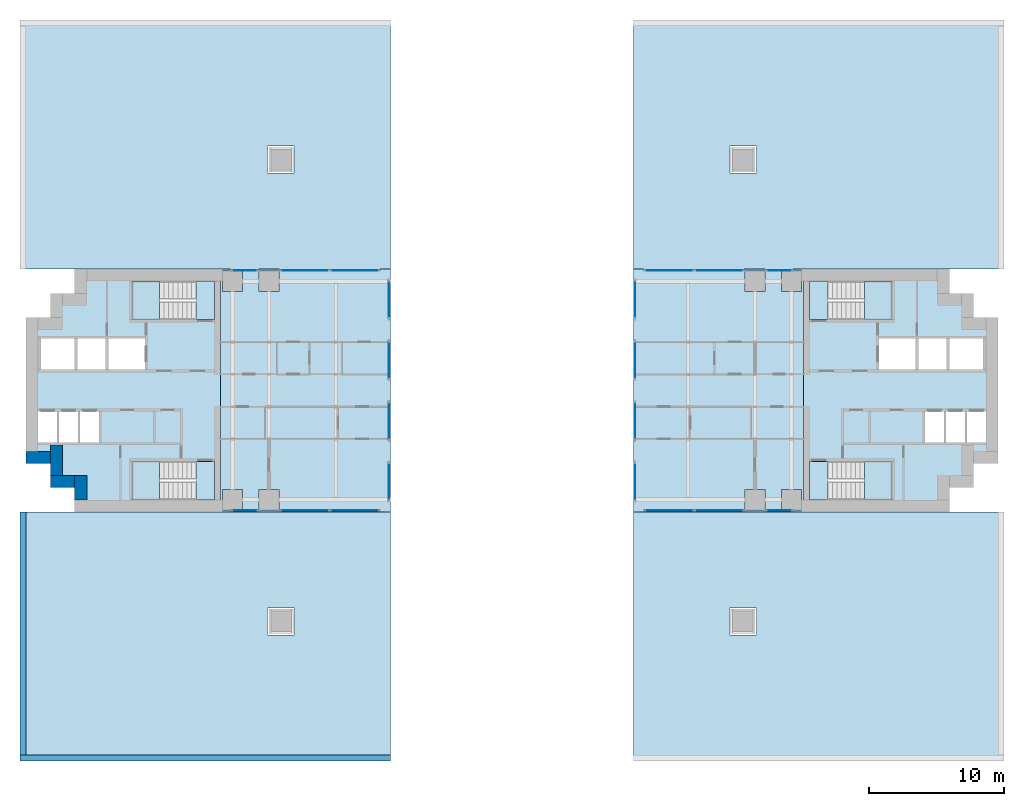
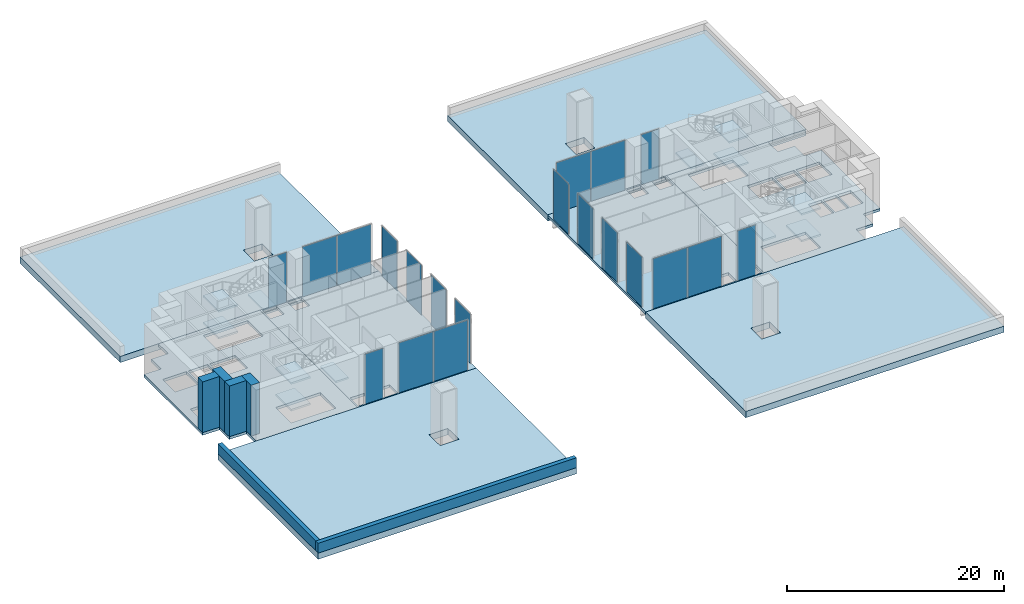
# One storey, part 5 of 13: 20 plates, 20 slabs, 6 walls, 20 elements without a shape of their own.
"""IFC4 building model written with IfcOpenShell, lengths in metres."""

from ifc_helpers import new_model, si_unit, direction, frame, frame_2d, origin, origin_2d, place, context, subcontext, project, spatial, polyline, rectangle, outline, extrude, material, layer, layer_set, type_object, element, aggregate, save


model = new_model("IFC4")

# Units and contexts
model_context = context("Model", 3, precision=1e-05, world=origin(), true_north=direction((0.0, 1.0)))
body_context = subcontext(model_context, "Body", "Model", "MODEL_VIEW")
ifc_project = project(units=[si_unit("LENGTHUNIT", "METRE"), si_unit("AREAUNIT", "SQUARE_METRE"), si_unit("VOLUMEUNIT", "CUBIC_METRE"), si_unit("PLANEANGLEUNIT", "RADIAN"), si_unit("MASSUNIT", "GRAM", prefix="KILO")], contexts=[model_context])

# Site, building, storey
site_placement = place(None, origin())
site = spatial("IfcSite", under=ifc_project, at=site_placement, CompositionType="ELEMENT")
building_placement = place(site_placement, origin())
building = spatial("IfcBuilding", under=site, at=building_placement, Name="Perihelion Cross Residences", CompositionType="ELEMENT")
storey_placement = place(building_placement, frame((0.0, 0.0, 15.0)))
storey = spatial("IfcBuildingStorey", under=building, at=storey_placement, Name="L01", CompositionType="ELEMENT", Elevation=15.0)

# Curtain wall, plate
ifc_material_1 = material(Name="Bronze anodised aluminium, tinted glazing", Category="aluminium")
curtain_wall_type = type_object("IfcCurtainWallType", Name="CW2", PredefinedType="NOTDEFINED", material=ifc_material_1)
curtain_wall_1_placement = place(storey_placement, origin())
curtain_wall_1 = element("IfcCurtainWall", 1, at=curtain_wall_1_placement, inside=storey, type_object=curtain_wall_type, Name="Curtain wall CW2 L01 east side north bay 1", PredefinedType="NOTDEFINED")
ifc_material_2 = material(Name="Tinted laminated glass", Category="glass")
ifc_layer_1 = layer(ifc_material_2, 0.033935546875)
ifc_layer_set_1 = layer_set([ifc_layer_1], Name="CW2 panel")
plate_type = type_object("IfcPlateType", Name="CW2 panel", PredefinedType="CURTAIN_PANEL", material=ifc_layer_set_1)
plate_1_placement = place(storey_placement, frame((19.800048828125, 8.889892578125, 0.0), z_axis=(0.0, 0.0, 1.0), x_axis=(-1.0, 0.0, 0.0)))
plate_1 = element("IfcPlate", 2, at=plate_1_placement, type_object=plate_type, Name="CW2 panel 1", PredefinedType="CURTAIN_PANEL", context=body_context, shape_type="SweptSolid", body=[
    extrude(rectangle(XDim=1.89990234375, YDim=0.033935546875, at=origin_2d()), origin(), (0.0, 0.0, 1.0), 5.6201171875),
])
aggregate(curtain_wall_1, [plate_1])

# Curtain wall, plates
curtain_wall_2_placement = place(storey_placement, origin())
curtain_wall_2 = element("IfcCurtainWall", 3, at=curtain_wall_2_placement, inside=storey, type_object=curtain_wall_type, Name="Curtain wall CW2 L01 east side north bay 2", PredefinedType="NOTDEFINED")
plate_2_placement = place(storey_placement, frame((15.344970703125, 8.889892578125, 0.0), z_axis=(0.0, 0.0, 1.0), x_axis=(-1.0, 0.0, 0.0)))
plate_2 = element("IfcPlate", 4, at=plate_2_placement, type_object=plate_type, Name="CW2 panel 1", PredefinedType="CURTAIN_PANEL", context=body_context, shape_type="SweptSolid", body=[
    extrude(rectangle(XDim=3.610107421875, YDim=0.033935546875, at=origin_2d()), origin(), (0.0, 0.0, 1.0), 5.6201171875),
])
plate_3_placement = place(storey_placement, frame((11.655029296875, 8.889892578125, 0.0), z_axis=(0.0, 0.0, 1.0), x_axis=(-1.0, 0.0, 0.0)))
plate_3 = element("IfcPlate", 5, at=plate_3_placement, type_object=plate_type, Name="CW2 panel 2", PredefinedType="CURTAIN_PANEL", context=body_context, shape_type="SweptSolid", body=[
    extrude(rectangle(XDim=3.610107421875, YDim=0.033935546875, at=origin_2d()), origin(), (0.0, 0.0, 1.0), 5.6201171875),
])
aggregate(curtain_wall_2, [plate_2, plate_3])

curtain_wall_3_placement = place(storey_placement, origin())
curtain_wall_3 = element("IfcCurtainWall", 6, at=curtain_wall_3_placement, inside=storey, type_object=curtain_wall_type, Name="Curtain wall CW2 L01 west side north bay 1", PredefinedType="NOTDEFINED")
plate_4_placement = place(storey_placement, frame((-11.655029296875, 8.889892578125, 0.0), z_axis=(0.0, 0.0, 1.0), x_axis=(-1.0, 0.0, 0.0)))
plate_4 = element("IfcPlate", 7, at=plate_4_placement, type_object=plate_type, Name="CW2 panel 1", PredefinedType="CURTAIN_PANEL", context=body_context, shape_type="SweptSolid", body=[
    extrude(rectangle(XDim=3.610107421875, YDim=0.033935546875, at=origin_2d()), origin(), (0.0, 0.0, 1.0), 5.6201171875),
])
plate_5_placement = place(storey_placement, frame((-15.344970703125, 8.889892578125, 0.0), z_axis=(0.0, 0.0, 1.0), x_axis=(-1.0, 0.0, 0.0)))
plate_5 = element("IfcPlate", 8, at=plate_5_placement, type_object=plate_type, Name="CW2 panel 2", PredefinedType="CURTAIN_PANEL", context=body_context, shape_type="SweptSolid", body=[
    extrude(rectangle(XDim=3.610107421875, YDim=0.033935546875, at=origin_2d()), origin(), (0.0, 0.0, 1.0), 5.6201171875),
])
aggregate(curtain_wall_3, [plate_4, plate_5])

# Curtain wall, plate
curtain_wall_4_placement = place(storey_placement, origin())
curtain_wall_4 = element("IfcCurtainWall", 9, at=curtain_wall_4_placement, inside=storey, type_object=curtain_wall_type, Name="Curtain wall CW2 L01 west side north bay 2", PredefinedType="NOTDEFINED")
plate_6_placement = place(storey_placement, frame((-19.800048828125, 8.889892578125, 0.0), z_axis=(0.0, 0.0, 1.0), x_axis=(-1.0, 0.0, 0.0)))
plate_6 = element("IfcPlate", 10, at=plate_6_placement, type_object=plate_type, Name="CW2 panel 1", PredefinedType="CURTAIN_PANEL", context=body_context, shape_type="SweptSolid", body=[
    extrude(rectangle(XDim=1.89990234375, YDim=0.033935546875, at=origin_2d()), origin(), (0.0, 0.0, 1.0), 5.6201171875),
])
aggregate(curtain_wall_4, [plate_6])

curtain_wall_5_placement = place(storey_placement, origin())
curtain_wall_5 = element("IfcCurtainWall", 11, at=curtain_wall_5_placement, inside=storey, type_object=curtain_wall_type, Name="Curtain wall CW2 L01 west side south bay 1", PredefinedType="NOTDEFINED")
plate_7_placement = place(storey_placement, frame((-19.800048828125, -8.889892578125, 0.0), z_axis=(0.0, 0.0, 1.0), x_axis=(1.0, 0.0, 0.0)))
plate_7 = element("IfcPlate", 12, at=plate_7_placement, type_object=plate_type, Name="CW2 panel 1", PredefinedType="CURTAIN_PANEL", context=body_context, shape_type="SweptSolid", body=[
    extrude(rectangle(XDim=1.89990234375, YDim=0.033935546875, at=origin_2d()), origin(), (0.0, 0.0, 1.0), 5.6201171875),
])
aggregate(curtain_wall_5, [plate_7])

# Curtain wall, plates
curtain_wall_6_placement = place(storey_placement, origin())
curtain_wall_6 = element("IfcCurtainWall", 13, at=curtain_wall_6_placement, inside=storey, type_object=curtain_wall_type, Name="Curtain wall CW2 L01 west side south bay 2", PredefinedType="NOTDEFINED")
plate_8_placement = place(storey_placement, frame((-15.344970703125, -8.889892578125, 0.0), z_axis=(0.0, 0.0, 1.0), x_axis=(1.0, 0.0, 0.0)))
plate_8 = element("IfcPlate", 14, at=plate_8_placement, type_object=plate_type, Name="CW2 panel 1", PredefinedType="CURTAIN_PANEL", context=body_context, shape_type="SweptSolid", body=[
    extrude(rectangle(XDim=3.610107421875, YDim=0.033935546875, at=origin_2d()), origin(), (0.0, 0.0, 1.0), 5.6201171875),
])
plate_9_placement = place(storey_placement, frame((-11.655029296875, -8.889892578125, 0.0), z_axis=(0.0, 0.0, 1.0), x_axis=(1.0, 0.0, 0.0)))
plate_9 = element("IfcPlate", 15, at=plate_9_placement, type_object=plate_type, Name="CW2 panel 2", PredefinedType="CURTAIN_PANEL", context=body_context, shape_type="SweptSolid", body=[
    extrude(rectangle(XDim=3.610107421875, YDim=0.033935546875, at=origin_2d()), origin(), (0.0, 0.0, 1.0), 5.6201171875),
])
aggregate(curtain_wall_6, [plate_8, plate_9])

curtain_wall_7_placement = place(storey_placement, origin())
curtain_wall_7 = element("IfcCurtainWall", 16, at=curtain_wall_7_placement, inside=storey, type_object=curtain_wall_type, Name="Curtain wall CW2 L01 east side south bay 1", PredefinedType="NOTDEFINED")
plate_10_placement = place(storey_placement, frame((11.655029296875, -8.889892578125, 0.0), z_axis=(0.0, 0.0, 1.0), x_axis=(1.0, 0.0, 0.0)))
plate_10 = element("IfcPlate", 17, at=plate_10_placement, type_object=plate_type, Name="CW2 panel 1", PredefinedType="CURTAIN_PANEL", context=body_context, shape_type="SweptSolid", body=[
    extrude(rectangle(XDim=3.610107421875, YDim=0.033935546875, at=origin_2d()), origin(), (0.0, 0.0, 1.0), 5.6201171875),
])
plate_11_placement = place(storey_placement, frame((15.344970703125, -8.889892578125, 0.0), z_axis=(0.0, 0.0, 1.0), x_axis=(1.0, 0.0, 0.0)))
plate_11 = element("IfcPlate", 18, at=plate_11_placement, type_object=plate_type, Name="CW2 panel 2", PredefinedType="CURTAIN_PANEL", context=body_context, shape_type="SweptSolid", body=[
    extrude(rectangle(XDim=3.610107421875, YDim=0.033935546875, at=origin_2d()), origin(), (0.0, 0.0, 1.0), 5.6201171875),
])
aggregate(curtain_wall_7, [plate_10, plate_11])

# Curtain wall, plate
curtain_wall_8_placement = place(storey_placement, origin())
curtain_wall_8 = element("IfcCurtainWall", 19, at=curtain_wall_8_placement, inside=storey, type_object=curtain_wall_type, Name="Curtain wall CW2 L01 east side south bay 2", PredefinedType="NOTDEFINED")
plate_12_placement = place(storey_placement, frame((19.800048828125, -8.889892578125, 0.0), z_axis=(0.0, 0.0, 1.0), x_axis=(1.0, 0.0, 0.0)))
plate_12 = element("IfcPlate", 20, at=plate_12_placement, type_object=plate_type, Name="CW2 panel 1", PredefinedType="CURTAIN_PANEL", context=body_context, shape_type="SweptSolid", body=[
    extrude(rectangle(XDim=1.89990234375, YDim=0.033935546875, at=origin_2d()), origin(), (0.0, 0.0, 1.0), 5.6201171875),
])
aggregate(curtain_wall_8, [plate_12])

curtain_wall_9_placement = place(storey_placement, origin())
curtain_wall_9 = element("IfcCurtainWall", 21, at=curtain_wall_9_placement, inside=storey, type_object=curtain_wall_type, Name="Curtain wall CW2 L01 east inner east bay 1", PredefinedType="NOTDEFINED")
plate_13_placement = place(storey_placement, frame((9.110107421875, 6.75, 0.0), z_axis=(0.0, 0.0, 1.0), x_axis=(0.0, -1.0, 0.0)))
plate_13 = element("IfcPlate", 22, at=plate_13_placement, type_object=plate_type, Name="CW2 panel 1", PredefinedType="CURTAIN_PANEL", context=body_context, shape_type="SweptSolid", body=[
    extrude(rectangle(XDim=2.800048828125, YDim=0.033935546875, at=origin_2d()), origin(), (0.0, 0.0, 1.0), 5.6201171875),
])
aggregate(curtain_wall_9, [plate_13])

curtain_wall_10_placement = place(storey_placement, origin())
curtain_wall_10 = element("IfcCurtainWall", 23, at=curtain_wall_10_placement, inside=storey, type_object=curtain_wall_type, Name="Curtain wall CW2 L01 east inner east bay 2", PredefinedType="NOTDEFINED")
plate_14_placement = place(storey_placement, frame((9.110107421875, 2.25, 0.0), z_axis=(0.0, 0.0, 1.0), x_axis=(0.0, -1.0, 0.0)))
plate_14 = element("IfcPlate", 24, at=plate_14_placement, type_object=plate_type, Name="CW2 panel 1", PredefinedType="CURTAIN_PANEL", context=body_context, shape_type="SweptSolid", body=[
    extrude(rectangle(XDim=2.800048828125, YDim=0.033935546875, at=origin_2d()), origin(), (0.0, 0.0, 1.0), 5.6201171875),
])
aggregate(curtain_wall_10, [plate_14])

curtain_wall_11_placement = place(storey_placement, origin())
curtain_wall_11 = element("IfcCurtainWall", 25, at=curtain_wall_11_placement, inside=storey, type_object=curtain_wall_type, Name="Curtain wall CW2 L01 east inner east bay 3", PredefinedType="NOTDEFINED")
plate_15_placement = place(storey_placement, frame((9.110107421875, -2.25, 0.0), z_axis=(0.0, 0.0, 1.0), x_axis=(0.0, -1.0, 0.0)))
plate_15 = element("IfcPlate", 26, at=plate_15_placement, type_object=plate_type, Name="CW2 panel 1", PredefinedType="CURTAIN_PANEL", context=body_context, shape_type="SweptSolid", body=[
    extrude(rectangle(XDim=2.800048828125, YDim=0.033935546875, at=origin_2d()), origin(), (0.0, 0.0, 1.0), 5.6201171875),
])
aggregate(curtain_wall_11, [plate_15])

curtain_wall_12_placement = place(storey_placement, origin())
curtain_wall_12 = element("IfcCurtainWall", 27, at=curtain_wall_12_placement, inside=storey, type_object=curtain_wall_type, Name="Curtain wall CW2 L01 east inner east bay 4", PredefinedType="NOTDEFINED")
plate_16_placement = place(storey_placement, frame((9.110107421875, -6.75, 0.0), z_axis=(0.0, 0.0, 1.0), x_axis=(0.0, -1.0, 0.0)))
plate_16 = element("IfcPlate", 28, at=plate_16_placement, type_object=plate_type, Name="CW2 panel 1", PredefinedType="CURTAIN_PANEL", context=body_context, shape_type="SweptSolid", body=[
    extrude(rectangle(XDim=2.800048828125, YDim=0.033935546875, at=origin_2d()), origin(), (0.0, 0.0, 1.0), 5.6201171875),
])
aggregate(curtain_wall_12, [plate_16])

curtain_wall_13_placement = place(storey_placement, origin())
curtain_wall_13 = element("IfcCurtainWall", 29, at=curtain_wall_13_placement, inside=storey, type_object=curtain_wall_type, Name="Curtain wall CW2 L01 west inner west bay 1", PredefinedType="NOTDEFINED")
plate_17_placement = place(storey_placement, frame((-9.110107421875, -6.75, 0.0), z_axis=(0.0, 0.0, 1.0), x_axis=(0.0, 1.0, 0.0)))
plate_17 = element("IfcPlate", 30, at=plate_17_placement, type_object=plate_type, Name="CW2 panel 1", PredefinedType="CURTAIN_PANEL", context=body_context, shape_type="SweptSolid", body=[
    extrude(rectangle(XDim=2.800048828125, YDim=0.033935546875, at=origin_2d()), origin(), (0.0, 0.0, 1.0), 5.6201171875),
])
aggregate(curtain_wall_13, [plate_17])

curtain_wall_14_placement = place(storey_placement, origin())
curtain_wall_14 = element("IfcCurtainWall", 31, at=curtain_wall_14_placement, inside=storey, type_object=curtain_wall_type, Name="Curtain wall CW2 L01 west inner west bay 2", PredefinedType="NOTDEFINED")
plate_18_placement = place(storey_placement, frame((-9.110107421875, -2.25, 0.0), z_axis=(0.0, 0.0, 1.0), x_axis=(0.0, 1.0, 0.0)))
plate_18 = element("IfcPlate", 32, at=plate_18_placement, type_object=plate_type, Name="CW2 panel 1", PredefinedType="CURTAIN_PANEL", context=body_context, shape_type="SweptSolid", body=[
    extrude(rectangle(XDim=2.800048828125, YDim=0.033935546875, at=origin_2d()), origin(), (0.0, 0.0, 1.0), 5.6201171875),
])
aggregate(curtain_wall_14, [plate_18])

curtain_wall_15_placement = place(storey_placement, origin())
curtain_wall_15 = element("IfcCurtainWall", 33, at=curtain_wall_15_placement, inside=storey, type_object=curtain_wall_type, Name="Curtain wall CW2 L01 west inner west bay 3", PredefinedType="NOTDEFINED")
plate_19_placement = place(storey_placement, frame((-9.110107421875, 2.25, 0.0), z_axis=(0.0, 0.0, 1.0), x_axis=(0.0, 1.0, 0.0)))
plate_19 = element("IfcPlate", 34, at=plate_19_placement, type_object=plate_type, Name="CW2 panel 1", PredefinedType="CURTAIN_PANEL", context=body_context, shape_type="SweptSolid", body=[
    extrude(rectangle(XDim=2.800048828125, YDim=0.033935546875, at=origin_2d()), origin(), (0.0, 0.0, 1.0), 5.6201171875),
])
aggregate(curtain_wall_15, [plate_19])

curtain_wall_16_placement = place(storey_placement, origin())
curtain_wall_16 = element("IfcCurtainWall", 35, at=curtain_wall_16_placement, inside=storey, type_object=curtain_wall_type, Name="Curtain wall CW2 L01 west inner west bay 4", PredefinedType="NOTDEFINED")
plate_20_placement = place(storey_placement, frame((-9.110107421875, 6.75, 0.0), z_axis=(0.0, 0.0, 1.0), x_axis=(0.0, 1.0, 0.0)))
plate_20 = element("IfcPlate", 36, at=plate_20_placement, type_object=plate_type, Name="CW2 panel 1", PredefinedType="CURTAIN_PANEL", context=body_context, shape_type="SweptSolid", body=[
    extrude(rectangle(XDim=2.800048828125, YDim=0.033935546875, at=origin_2d()), origin(), (0.0, 0.0, 1.0), 5.6201171875),
])
aggregate(curtain_wall_16, [plate_20])

# Slabs
ifc_material_3 = material(Name="Concrete C40/50", Category="concrete")
ifc_layer_2 = layer(ifc_material_3, 0.300048828125)
ifc_layer_set_2 = layer_set([ifc_layer_2], Name="Core floor slab 300")
slab_type_1 = type_object("IfcSlabType", Name="Core floor slab 300", PredefinedType="FLOOR", material=ifc_layer_set_2)
slab_1_placement = place(storey_placement, frame((0.0, 0.0, -0.300048828125)))
element("IfcSlab", 37, at=slab_1_placement, inside=storey, type_object=slab_type_1, Name="East core floor slab", PredefinedType="FLOOR", context=body_context, shape_type="SweptSolid", body=[
    extrude(outline(polyline([(32.39990234375, 7.199951171875), (34.199951171875, 7.199951171875), (34.199951171875, 5.39990234375), (36.0, 5.39990234375), (36.0, -5.39990234375), (34.199951171875, -5.39990234375), (34.199951171875, -7.199951171875), (32.39990234375, -7.199951171875), (32.39990234375, -9.0), (21.60009765625, -9.0), (21.60009765625, 9.0), (32.39990234375, 9.0), (32.39990234375, 7.199951171875)]), holes=[polyline([(23.405029296875, -8.10009765625), (28.14990234375, -8.10009765625), (28.14990234375, -5.25), (23.405029296875, -5.25), (23.405029296875, -8.10009765625)]), polyline([(30.60009765625, -1.550048828125), (30.60009765625, -3.85009765625), (32.0, -3.85009765625), (32.0, -1.550048828125), (30.60009765625, -1.550048828125)]), polyline([(32.14990234375, -1.550048828125), (32.14990234375, -3.85009765625), (33.550048828125, -3.85009765625), (33.550048828125, -1.550048828125), (32.14990234375, -1.550048828125)]), polyline([(33.699951171875, -1.550048828125), (33.699951171875, -3.85009765625), (35.10009765625, -3.85009765625), (35.10009765625, -1.550048828125), (33.699951171875, -1.550048828125)]), polyline([(27.199951171875, 3.85009765625), (27.199951171875, 1.550048828125), (29.89990234375, 1.550048828125), (29.89990234375, 3.85009765625), (27.199951171875, 3.85009765625)]), polyline([(30.10009765625, 3.85009765625), (30.10009765625, 1.550048828125), (32.199951171875, 1.550048828125), (32.199951171875, 3.85009765625), (30.10009765625, 3.85009765625)]), polyline([(32.39990234375, 3.85009765625), (32.39990234375, 1.550048828125), (34.89990234375, 1.550048828125), (34.89990234375, 3.85009765625), (32.39990234375, 3.85009765625)]), polyline([(23.405029296875, 5.25), (28.14990234375, 5.25), (28.14990234375, 8.10009765625), (23.405029296875, 8.10009765625), (23.405029296875, 5.25)])]), origin(), (0.0, 0.0, 1.0), 0.300048828125),
])
slab_2_placement = place(storey_placement, frame((0.0, 0.0, -0.300048828125)))
element("IfcSlab", 38, at=slab_2_placement, inside=storey, type_object=slab_type_1, Name="West core floor slab", PredefinedType="FLOOR", context=body_context, shape_type="SweptSolid", body=[
    extrude(outline(polyline([(-32.39990234375, 7.199951171875), (-34.199951171875, 7.199951171875), (-34.199951171875, 5.39990234375), (-36.0, 5.39990234375), (-36.0, -5.39990234375), (-34.199951171875, -5.39990234375), (-34.199951171875, -7.199951171875), (-32.39990234375, -7.199951171875), (-32.39990234375, -9.0), (-21.60009765625, -9.0), (-21.60009765625, 9.0), (-32.39990234375, 9.0), (-32.39990234375, 7.199951171875)]), holes=[polyline([(-23.405029296875, -8.10009765625), (-28.14990234375, -8.10009765625), (-28.14990234375, -5.25), (-23.405029296875, -5.25), (-23.405029296875, -8.10009765625)]), polyline([(-30.60009765625, -1.550048828125), (-30.60009765625, -3.85009765625), (-32.0, -3.85009765625), (-32.0, -1.550048828125), (-30.60009765625, -1.550048828125)]), polyline([(-32.14990234375, -1.550048828125), (-32.14990234375, -3.85009765625), (-33.550048828125, -3.85009765625), (-33.550048828125, -1.550048828125), (-32.14990234375, -1.550048828125)]), polyline([(-33.699951171875, -1.550048828125), (-33.699951171875, -3.85009765625), (-35.10009765625, -3.85009765625), (-35.10009765625, -1.550048828125), (-33.699951171875, -1.550048828125)]), polyline([(-27.199951171875, 3.85009765625), (-27.199951171875, 1.550048828125), (-29.89990234375, 1.550048828125), (-29.89990234375, 3.85009765625), (-27.199951171875, 3.85009765625)]), polyline([(-30.10009765625, 3.85009765625), (-30.10009765625, 1.550048828125), (-32.199951171875, 1.550048828125), (-32.199951171875, 3.85009765625), (-30.10009765625, 3.85009765625)]), polyline([(-32.39990234375, 3.85009765625), (-32.39990234375, 1.550048828125), (-34.89990234375, 1.550048828125), (-34.89990234375, 3.85009765625), (-32.39990234375, 3.85009765625)]), polyline([(-23.405029296875, 5.25), (-28.14990234375, 5.25), (-28.14990234375, 8.10009765625), (-23.405029296875, 8.10009765625), (-23.405029296875, 5.25)])]), origin(), (0.0, 0.0, 1.0), 0.300048828125),
])

# Stair, slabs
ifc_material_4 = material(Name="Concrete C40/50", Category="concrete")
stair_type = type_object("IfcStairType", Name="Exit stair, half-turn", PredefinedType="HALF_TURN_STAIR", material=ifc_material_4)
stair_1_placement = place(storey_placement, origin())
stair_1 = element("IfcStair", 39, at=stair_1_placement, inside=storey, type_object=stair_type, Name="L01 East core exit stair 1", PredefinedType="HALF_TURN_STAIR")
ifc_material_5 = material(Name="Concrete C40/50", Category="concrete")
ifc_layer_3 = layer(ifc_material_5, 0.199951171875)
ifc_layer_set_3 = layer_set([ifc_layer_3], Name="Exit stair landing 200")
slab_type_2 = type_object("IfcSlabType", Name="Exit stair landing 200", PredefinedType="LANDING", material=ifc_layer_set_3)
slab_3_placement = place(storey_placement, frame((0.0, 0.0, 1.300048828125)))
slab_3 = element("IfcSlab", 40, at=slab_3_placement, type_object=slab_type_2, Name="ST-E1 landing 1", PredefinedType="LANDING", context=body_context, shape_type="SweptSolid", body=[
    extrude(outline(polyline([(26.1201171875, 5.25), (28.14990234375, 5.25), (28.14990234375, 8.10009765625), (26.1201171875, 8.10009765625), (26.1201171875, 5.25)])), origin(), (0.0, 0.0, 1.0), 0.199951171875),
])
slab_4_placement = place(storey_placement, frame((0.0, 0.0, 2.800048828125)))
slab_4 = element("IfcSlab", 41, at=slab_4_placement, type_object=slab_type_2, Name="ST-E1 landing 2", PredefinedType="LANDING", context=body_context, shape_type="SweptSolid", body=[
    extrude(outline(polyline([(22.050048828125, 5.25), (23.39990234375, 5.25), (23.39990234375, 8.10009765625), (22.050048828125, 8.10009765625), (22.050048828125, 5.25)])), origin(), (0.0, 0.0, 1.0), 0.199951171875),
])
slab_5_placement = place(storey_placement, frame((0.0, 0.0, 4.300048828125)))
slab_5 = element("IfcSlab", 42, at=slab_5_placement, type_object=slab_type_2, Name="ST-E1 landing 3", PredefinedType="LANDING", context=body_context, shape_type="SweptSolid", body=[
    extrude(outline(polyline([(26.1201171875, 5.25), (28.14990234375, 5.25), (28.14990234375, 8.10009765625), (26.1201171875, 8.10009765625), (26.1201171875, 5.25)])), origin(), (0.0, 0.0, 1.0), 0.199951171875),
])
aggregate(stair_1, [slab_3, slab_4, slab_5])

stair_2_placement = place(storey_placement, origin())
stair_2 = element("IfcStair", 43, at=stair_2_placement, inside=storey, type_object=stair_type, Name="L01 East core exit stair 2", PredefinedType="HALF_TURN_STAIR")
slab_6_placement = place(storey_placement, frame((0.0, 0.0, 1.300048828125)))
slab_6 = element("IfcSlab", 44, at=slab_6_placement, type_object=slab_type_2, Name="ST-E2 landing 1", PredefinedType="LANDING", context=body_context, shape_type="SweptSolid", body=[
    extrude(outline(polyline([(26.1201171875, -8.10009765625), (28.14990234375, -8.10009765625), (28.14990234375, -5.25), (26.1201171875, -5.25), (26.1201171875, -8.10009765625)])), origin(), (0.0, 0.0, 1.0), 0.199951171875),
])
slab_7_placement = place(storey_placement, frame((0.0, 0.0, 2.800048828125)))
slab_7 = element("IfcSlab", 45, at=slab_7_placement, type_object=slab_type_2, Name="ST-E2 landing 2", PredefinedType="LANDING", context=body_context, shape_type="SweptSolid", body=[
    extrude(outline(polyline([(22.050048828125, -8.10009765625), (23.39990234375, -8.10009765625), (23.39990234375, -5.25), (22.050048828125, -5.25), (22.050048828125, -8.10009765625)])), origin(), (0.0, 0.0, 1.0), 0.199951171875),
])
slab_8_placement = place(storey_placement, frame((0.0, 0.0, 4.300048828125)))
slab_8 = element("IfcSlab", 46, at=slab_8_placement, type_object=slab_type_2, Name="ST-E2 landing 3", PredefinedType="LANDING", context=body_context, shape_type="SweptSolid", body=[
    extrude(outline(polyline([(26.1201171875, -8.10009765625), (28.14990234375, -8.10009765625), (28.14990234375, -5.25), (26.1201171875, -5.25), (26.1201171875, -8.10009765625)])), origin(), (0.0, 0.0, 1.0), 0.199951171875),
])
aggregate(stair_2, [slab_6, slab_7, slab_8])

stair_3_placement = place(storey_placement, origin())
stair_3 = element("IfcStair", 47, at=stair_3_placement, inside=storey, type_object=stair_type, Name="L01 West core exit stair 1", PredefinedType="HALF_TURN_STAIR")
slab_9_placement = place(storey_placement, frame((0.0, 0.0, 1.300048828125)))
slab_9 = element("IfcSlab", 48, at=slab_9_placement, type_object=slab_type_2, Name="ST-W1 landing 1", PredefinedType="LANDING", context=body_context, shape_type="SweptSolid", body=[
    extrude(outline(polyline([(-26.1201171875, 8.10009765625), (-28.14990234375, 8.10009765625), (-28.14990234375, 5.25), (-26.1201171875, 5.25), (-26.1201171875, 8.10009765625)])), origin(), (0.0, 0.0, 1.0), 0.199951171875),
])
slab_10_placement = place(storey_placement, frame((0.0, 0.0, 2.800048828125)))
slab_10 = element("IfcSlab", 49, at=slab_10_placement, type_object=slab_type_2, Name="ST-W1 landing 2", PredefinedType="LANDING", context=body_context, shape_type="SweptSolid", body=[
    extrude(outline(polyline([(-22.050048828125, 8.10009765625), (-23.39990234375, 8.10009765625), (-23.39990234375, 5.25), (-22.050048828125, 5.25), (-22.050048828125, 8.10009765625)])), origin(), (0.0, 0.0, 1.0), 0.199951171875),
])
slab_11_placement = place(storey_placement, frame((0.0, 0.0, 4.300048828125)))
slab_11 = element("IfcSlab", 50, at=slab_11_placement, type_object=slab_type_2, Name="ST-W1 landing 3", PredefinedType="LANDING", context=body_context, shape_type="SweptSolid", body=[
    extrude(outline(polyline([(-26.1201171875, 8.10009765625), (-28.14990234375, 8.10009765625), (-28.14990234375, 5.25), (-26.1201171875, 5.25), (-26.1201171875, 8.10009765625)])), origin(), (0.0, 0.0, 1.0), 0.199951171875),
])
aggregate(stair_3, [slab_9, slab_10, slab_11])

stair_4_placement = place(storey_placement, origin())
stair_4 = element("IfcStair", 51, at=stair_4_placement, inside=storey, type_object=stair_type, Name="L01 West core exit stair 2", PredefinedType="HALF_TURN_STAIR")
slab_12_placement = place(storey_placement, frame((0.0, 0.0, 1.300048828125)))
slab_12 = element("IfcSlab", 52, at=slab_12_placement, type_object=slab_type_2, Name="ST-W2 landing 1", PredefinedType="LANDING", context=body_context, shape_type="SweptSolid", body=[
    extrude(outline(polyline([(-26.1201171875, -5.25), (-28.14990234375, -5.25), (-28.14990234375, -8.10009765625), (-26.1201171875, -8.10009765625), (-26.1201171875, -5.25)])), origin(), (0.0, 0.0, 1.0), 0.199951171875),
])
slab_13_placement = place(storey_placement, frame((0.0, 0.0, 2.800048828125)))
slab_13 = element("IfcSlab", 53, at=slab_13_placement, type_object=slab_type_2, Name="ST-W2 landing 2", PredefinedType="LANDING", context=body_context, shape_type="SweptSolid", body=[
    extrude(outline(polyline([(-22.050048828125, -5.25), (-23.39990234375, -5.25), (-23.39990234375, -8.10009765625), (-22.050048828125, -8.10009765625), (-22.050048828125, -5.25)])), origin(), (0.0, 0.0, 1.0), 0.199951171875),
])
slab_14_placement = place(storey_placement, frame((0.0, 0.0, 4.300048828125)))
slab_14 = element("IfcSlab", 54, at=slab_14_placement, type_object=slab_type_2, Name="ST-W2 landing 3", PredefinedType="LANDING", context=body_context, shape_type="SweptSolid", body=[
    extrude(outline(polyline([(-26.1201171875, -5.25), (-28.14990234375, -5.25), (-28.14990234375, -8.10009765625), (-26.1201171875, -8.10009765625), (-26.1201171875, -5.25)])), origin(), (0.0, 0.0, 1.0), 0.199951171875),
])
aggregate(stair_4, [slab_12, slab_13, slab_14])

# Slabs
ifc_material_6 = material(Name="Concrete C40/50", Category="concrete")
ifc_layer_4 = layer(ifc_material_6, 0.699951171875)
ifc_layer_set_4 = layer_set([ifc_layer_4], Name="Loggia roof slab 700")
slab_type_3 = type_object("IfcSlabType", Name="Loggia roof slab 700", PredefinedType="ROOF", material=ifc_layer_set_4)
slab_15_placement = place(storey_placement, frame((0.0, 0.0, -0.699951171875)))
element("IfcSlab", 55, at=slab_15_placement, inside=storey, type_object=slab_type_3, Name="Slab TR2 L01 loggia roof north-east 1", PredefinedType="ROOF", context=body_context, shape_type="SweptSolid", body=[
    extrude(outline(polyline([(9.0, 9.0), (9.0, 27.449951171875), (36.449951171875, 27.449951171875), (36.449951171875, 9.0), (9.0, 9.0)]), holes=[polyline([(18.10009765625, 18.10009765625), (16.10009765625, 18.10009765625), (16.10009765625, 16.10009765625), (18.10009765625, 16.10009765625), (18.10009765625, 18.10009765625)])]), origin(), (0.0, 0.0, 1.0), 0.699951171875),
])
slab_16_placement = place(storey_placement, frame((0.0, 0.0, -0.699951171875)))
element("IfcSlab", 56, at=slab_16_placement, inside=storey, type_object=slab_type_3, Name="Slab TR2 L01 loggia roof south-east 1", PredefinedType="ROOF", context=body_context, shape_type="SweptSolid", body=[
    extrude(outline(polyline([(9.0, -27.449951171875), (9.0, -9.0), (36.449951171875, -9.0), (36.449951171875, -27.449951171875), (9.0, -27.449951171875)]), holes=[polyline([(18.10009765625, -16.10009765625), (16.10009765625, -16.10009765625), (16.10009765625, -18.10009765625), (18.10009765625, -18.10009765625), (18.10009765625, -16.10009765625)])]), origin(), (0.0, 0.0, 1.0), 0.699951171875),
])
slab_17_placement = place(storey_placement, frame((0.0, 0.0, -0.699951171875)))
element("IfcSlab", 57, at=slab_17_placement, inside=storey, type_object=slab_type_3, Name="Slab TR2 L01 loggia roof north-west 1", PredefinedType="ROOF", context=body_context, shape_type="SweptSolid", body=[
    extrude(outline(polyline([(-36.449951171875, 9.0), (-36.449951171875, 27.449951171875), (-9.0, 27.449951171875), (-9.0, 9.0), (-36.449951171875, 9.0)]), holes=[polyline([(-16.10009765625, 18.10009765625), (-18.10009765625, 18.10009765625), (-18.10009765625, 16.10009765625), (-16.10009765625, 16.10009765625), (-16.10009765625, 18.10009765625)])]), origin(), (0.0, 0.0, 1.0), 0.699951171875),
])
slab_18_placement = place(storey_placement, frame((0.0, 0.0, -0.699951171875)))
element("IfcSlab", 58, at=slab_18_placement, inside=storey, type_object=slab_type_3, Name="Slab TR2 L01 loggia roof south-west 1", PredefinedType="ROOF", context=body_context, shape_type="SweptSolid", body=[
    extrude(outline(polyline([(-36.449951171875, -27.449951171875), (-36.449951171875, -9.0), (-9.0, -9.0), (-9.0, -27.449951171875), (-36.449951171875, -27.449951171875)]), holes=[polyline([(-16.10009765625, -16.10009765625), (-18.10009765625, -16.10009765625), (-18.10009765625, -18.10009765625), (-16.10009765625, -18.10009765625), (-16.10009765625, -16.10009765625)])]), origin(), (0.0, 0.0, 1.0), 0.699951171875),
])
ifc_material_7 = material(Name="Concrete C50/60", Category="concrete")
ifc_layer_5 = layer(ifc_material_7, 0.300048828125)
ifc_layer_set_5 = layer_set([ifc_layer_5], Name="Podium post-tensioned slab concrete C50/60")
slab_type_4 = type_object("IfcSlabType", Name="Podium post-tensioned slab concrete C50/60", PredefinedType="FLOOR", material=ifc_layer_set_5)
slab_19_placement = place(storey_placement, frame((0.0, 0.0, -0.300048828125)))
element("IfcSlab", 59, at=slab_19_placement, inside=storey, type_object=slab_type_4, Name="Slab SL6 L01 1 no. 1", PredefinedType="FLOOR", context=body_context, shape_type="SweptSolid", body=[
    extrude(outline(polyline([(-9.0, 9.0), (-9.0, -9.0), (-21.60009765625, -9.0), (-21.60009765625, 9.0), (-9.0, 9.0)]), holes=[polyline([(-21.449951171875, -7.35009765625), (-21.449951171875, -8.85009765625), (-19.949951171875, -8.85009765625), (-19.949951171875, -7.35009765625), (-21.449951171875, -7.35009765625)]), polyline([(-18.75, -7.35009765625), (-18.75, -8.85009765625), (-17.25, -8.85009765625), (-17.25, -7.35009765625), (-18.75, -7.35009765625)]), polyline([(-21.449951171875, 8.85009765625), (-21.449951171875, 7.35009765625), (-19.949951171875, 7.35009765625), (-19.949951171875, 8.85009765625), (-21.449951171875, 8.85009765625)]), polyline([(-18.75, 8.85009765625), (-18.75, 7.35009765625), (-17.25, 7.35009765625), (-17.25, 8.85009765625), (-18.75, 8.85009765625)])]), origin(), (0.0, 0.0, 1.0), 0.300048828125),
])
slab_20_placement = place(storey_placement, frame((0.0, 0.0, -0.300048828125)))
element("IfcSlab", 60, at=slab_20_placement, inside=storey, type_object=slab_type_4, Name="Slab SL6 L01 2 no. 1", PredefinedType="FLOOR", context=body_context, shape_type="SweptSolid", body=[
    extrude(outline(polyline([(9.0, -9.0), (9.0, 9.0), (21.60009765625, 9.0), (21.60009765625, -9.0), (9.0, -9.0)]), holes=[polyline([(17.25, -7.35009765625), (17.25, -8.85009765625), (18.75, -8.85009765625), (18.75, -7.35009765625), (17.25, -7.35009765625)]), polyline([(21.449951171875, -7.35009765625), (19.949951171875, -7.35009765625), (19.949951171875, -8.85009765625), (21.449951171875, -8.85009765625), (21.449951171875, -7.35009765625)]), polyline([(18.75, 8.85009765625), (17.25, 8.85009765625), (17.25, 7.35009765625), (18.75, 7.35009765625), (18.75, 8.85009765625)]), polyline([(21.449951171875, 8.85009765625), (19.949951171875, 8.85009765625), (19.949951171875, 7.35009765625), (21.449951171875, 7.35009765625), (21.449951171875, 8.85009765625)])]), origin(), (0.0, 0.0, 1.0), 0.300048828125),
])

# Walls
ifc_material_8 = material(Name="Concrete C60/75", Category="concrete")
ifc_layer_6 = layer(ifc_material_8, 0.89990234375)
ifc_layer_set_6 = layer_set([ifc_layer_6], Name="Core wall, outer 900")
wall_type_1 = type_object("IfcWallType", Name="Core wall, outer 900", PredefinedType="SHEAR", material=ifc_layer_set_6)
for number, where, z_axis, x_axis, name in (
    (61, (-31.949951171875, -8.10009765625, 0.0), (0.0, 0.0, 1.0), (0.0, 1.0, 0.0), "West core core wall, outer"),
    (62, (-34.199951171875, -6.75, 0.0), (0.0, 0.0, 1.0), (1.0, 0.0, 0.0), "West core core wall, outer"),
):
    element("IfcWall", number, at=place(storey_placement, frame(where, z_axis=z_axis, x_axis=x_axis)), inside=storey, type_object=wall_type_1, Name=name, PredefinedType="SHEAR", context=body_context, shape_type="SweptSolid", body=[
        extrude(rectangle(XDim=1.800048828125, YDim=0.89990234375, at=frame_2d((0.89990234375, 0.0))), origin(), (0.0, 0.0, 1.0), 5.699951171875),
    ])
wall_1_placement = place(storey_placement, frame((-33.75, -6.300048828125, 0.0), z_axis=(0.0, 0.0, 1.0), x_axis=(0.0, 1.0, 0.0)))
element("IfcWall", 63, at=wall_1_placement, inside=storey, type_object=wall_type_1, Name="West core core wall, outer", PredefinedType="SHEAR", context=body_context, shape_type="SweptSolid", body=[
    extrude(rectangle(XDim=2.25, YDim=0.89990234375, at=frame_2d((1.125, 0.0))), origin(), (0.0, 0.0, 1.0), 5.699951171875),
])
wall_2_placement = place(storey_placement, frame((-36.0, -4.949951171875, 0.0), z_axis=(0.0, 0.0, 1.0), x_axis=(1.0, 0.0, 0.0)))
element("IfcWall", 64, at=wall_2_placement, inside=storey, type_object=wall_type_1, Name="West core core wall, outer", PredefinedType="SHEAR", context=body_context, shape_type="SweptSolid", body=[
    extrude(rectangle(XDim=1.800048828125, YDim=0.89990234375, at=frame_2d((0.89990234375, 0.0))), origin(), (0.0, 0.0, 1.0), 5.699951171875),
])
ifc_material_9 = material(Name="Concrete C40/50", Category="concrete")
ifc_layer_7 = layer(ifc_material_9, 0.449951171875)
ifc_layer_set_7 = layer_set([ifc_layer_7], Name="Loggia parapet 450")
wall_type_2 = type_object("IfcWallType", Name="Loggia parapet 450", PredefinedType="PARAPET", material=ifc_layer_set_7)
wall_3_placement = place(storey_placement, frame((-9.0, -27.22509765625, 0.0), z_axis=(0.0, 0.0, 1.0), x_axis=(-1.0, 0.0, 0.0)))
element("IfcWall", 65, at=wall_3_placement, inside=storey, type_object=wall_type_2, Name="Wall PP2 L01 loggia parapet south-west north-south", PredefinedType="PARAPET", context=body_context, shape_type="SweptSolid", body=[
    extrude(rectangle(XDim=27.449951171875, YDim=0.449951171875, at=frame_2d((13.72509765625, 0.0))), origin(), (0.0, 0.0, 1.0), 1.10009765625),
])
wall_4_placement = place(storey_placement, frame((-36.22509765625, -9.0, 0.0), z_axis=(0.0, 0.0, 1.0), x_axis=(0.0, -1.0, 0.0)))
element("IfcWall", 66, at=wall_4_placement, inside=storey, type_object=wall_type_2, Name="Wall PP2 L01 loggia parapet south-west east-west", PredefinedType="PARAPET", context=body_context, shape_type="SweptSolid", body=[
    extrude(rectangle(XDim=18.0, YDim=0.449951171875, at=frame_2d((9.0, 0.0))), origin(), (0.0, 0.0, 1.0), 1.10009765625),
])

save(model, "model.ifc")
